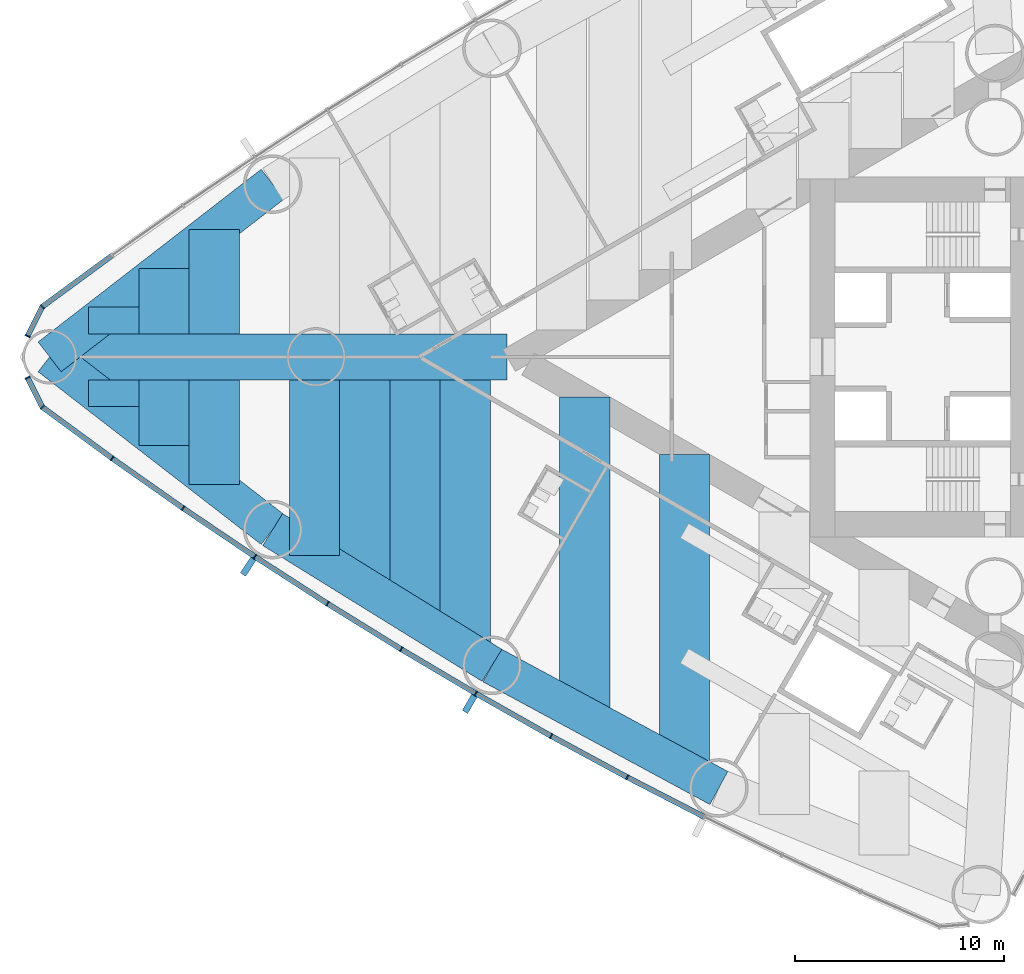
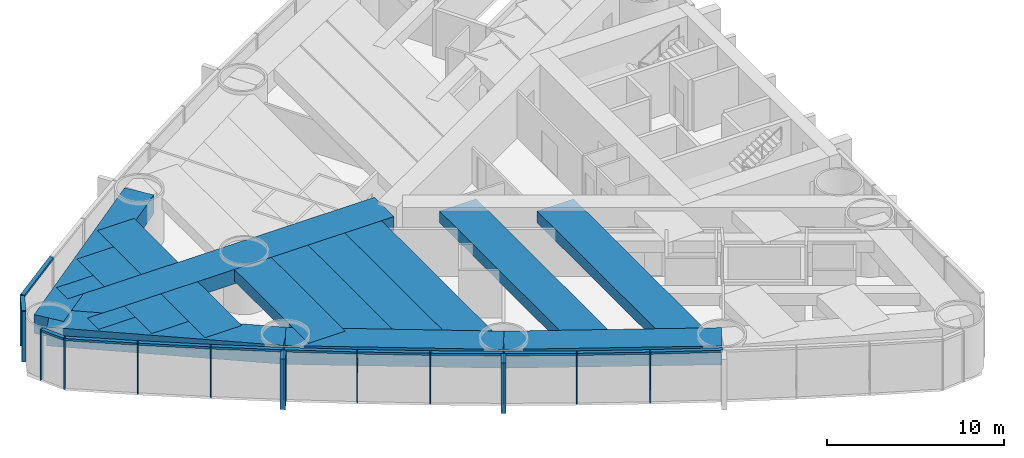
# One storey, part 2 of 19: 26 members, 17 beams, 2 elements without a shape of their own.
"""IFC4 building model written with IfcOpenShell, lengths in metres."""

from ifc_helpers import new_model, si_unit, direction, frame, origin, origin_2d, place, context, subcontext, project, spatial, rectangle, extrude, material, material_profile, profile_set, type_object, element, aggregate, save


model = new_model("IFC4")

# Units and contexts
model_context = context("Model", 3, precision=1e-05, world=origin(), true_north=direction((0.0, 1.0)))
body_context = subcontext(model_context, "Body", "Model", "MODEL_VIEW")
ifc_project = project(units=[si_unit("LENGTHUNIT", "METRE"), si_unit("AREAUNIT", "SQUARE_METRE"), si_unit("VOLUMEUNIT", "CUBIC_METRE"), si_unit("PLANEANGLEUNIT", "RADIAN"), si_unit("MASSUNIT", "GRAM", prefix="KILO")], contexts=[model_context])

# Site, building, storey
site_placement = place(None, origin())
site = spatial("IfcSite", under=ifc_project, at=site_placement, CompositionType="ELEMENT")
building_placement = place(site_placement, origin())
building = spatial("IfcBuilding", under=site, at=building_placement, Name="Lancet Gate Hotel", CompositionType="ELEMENT")
storey_placement = place(building_placement, frame((0.0, 0.0, 35.5)))
storey = spatial("IfcBuildingStorey", under=building, at=storey_placement, Name="L08", CompositionType="ELEMENT", Elevation=35.5)

# Curtain wall, members
ifc_material_1 = material(Name="Aluminium curtain wall", Category="aluminium")
curtain_wall_type = type_object("IfcCurtainWallType", Name="Tower unitised curtain wall", PredefinedType="USERDEFINED", material=ifc_material_1)
curtain_wall_1_placement = place(storey_placement, origin())
curtain_wall_1 = element("IfcCurtainWall", 1, at=curtain_wall_1_placement, inside=storey, type_object=curtain_wall_type, Name="T1 L08 curtain wall 2", ObjectType="UNITISED CURTAIN WALL", PredefinedType="USERDEFINED")
ifc_material_2 = material(Name="Aluminium mullion", Category="aluminium")
ifc_material_profile_1 = material_profile(ifc_material_2, rectangle(XDim=0.06494140625, YDim=0.25, at=origin_2d()), Name="MULLION 65x250")
ifc_profile_set_1 = profile_set([ifc_material_profile_1], Name="Aluminium mullion")
member_type_1 = type_object("IfcMemberType", Name="Aluminium mullion 65x250", PredefinedType="MULLION", material=ifc_profile_set_1)
member_1_placement = place(storey_placement, frame((-74.5830078125, 2.401611328125, 0.0), z_axis=(0.0, 0.0, 1.0), x_axis=(-0.723695580132, -0.690119342793, 0.0)))
member_1 = element("IfcMember", 2, at=member_1_placement, type_object=member_type_1, Name="T1 L08 curtain wall 2 mullion 14", PredefinedType="MULLION", context=body_context, shape_type="SweptSolid", body=[
    extrude(rectangle(XDim=0.06494140625, YDim=0.25, at=origin_2d()), origin(), (0.0, 0.0, 1.0), 3.5),
])
member_2_placement = place(storey_placement, frame((-75.287109375, 0.994873046875, 0.0), z_axis=(0.0, 0.0, 1.0), x_axis=(-0.447628324726, -0.89421970617, 0.0)))
member_2 = element("IfcMember", 3, at=member_2_placement, type_object=member_type_1, Name="T1 L08 curtain wall 2 mullion 15", PredefinedType="MULLION", context=body_context, shape_type="SweptSolid", body=[
    extrude(rectangle(XDim=0.06494140625, YDim=0.25, at=origin_2d()), origin(), (0.0, 0.0, 1.0), 3.5),
])

curtain_wall_2_placement = place(storey_placement, origin())
curtain_wall_2 = element("IfcCurtainWall", 4, at=curtain_wall_2_placement, inside=storey, type_object=curtain_wall_type, Name="T1 L08 curtain wall 3", ObjectType="UNITISED CURTAIN WALL", PredefinedType="USERDEFINED")
member_3_placement = place(storey_placement, frame((-75.287109375, -0.994873046875, 0.0), z_axis=(0.0, 0.0, 1.0), x_axis=(0.447628324726, -0.89421970617, 0.0)))
member_3 = element("IfcMember", 5, at=member_3_placement, type_object=member_type_1, Name="T1 L08 curtain wall 3 mullion 1", PredefinedType="MULLION", context=body_context, shape_type="SweptSolid", body=[
    extrude(rectangle(XDim=0.06494140625, YDim=0.25, at=origin_2d()), origin(), (0.0, 0.0, 1.0), 3.5),
])
member_4_placement = place(storey_placement, frame((-74.5830078125, -2.401611328125, 0.0), z_axis=(0.0, 0.0, 1.0), x_axis=(0.723695580132, -0.690119342793, 0.0)))
member_4 = element("IfcMember", 6, at=member_4_placement, type_object=member_type_1, Name="T1 L08 curtain wall 3 mullion 2", PredefinedType="MULLION", context=body_context, shape_type="SweptSolid", body=[
    extrude(rectangle(XDim=0.06494140625, YDim=0.25, at=origin_2d()), origin(), (0.0, 0.0, 1.0), 3.5),
])
member_5_placement = place(storey_placement, frame((-71.244384765625, -4.85009765625, 0.0), z_axis=(0.0, 0.0, 1.0), x_axis=(0.812146623168, -0.583453393578, 0.0)))
member_5 = element("IfcMember", 7, at=member_5_placement, type_object=member_type_1, Name="T1 L08 curtain wall 3 mullion 3", PredefinedType="MULLION", context=body_context, shape_type="SweptSolid", body=[
    extrude(rectangle(XDim=0.06494140625, YDim=0.25, at=origin_2d()), origin(), (0.0, 0.0, 1.0), 3.5),
])
member_6_placement = place(storey_placement, frame((-67.858154296875, -7.232666015625, 0.0), z_axis=(0.0, 0.0, 1.0), x_axis=(0.823425148573, -0.56742490666, 0.0)))
member_6 = element("IfcMember", 8, at=member_6_placement, type_object=member_type_1, Name="T1 L08 curtain wall 3 mullion 4", PredefinedType="MULLION", context=body_context, shape_type="SweptSolid", body=[
    extrude(rectangle(XDim=0.06494140625, YDim=0.25, at=origin_2d()), origin(), (0.0, 0.0, 1.0), 3.5),
])
member_7_placement = place(storey_placement, frame((-64.42626953125, -9.548583984375, 0.0), z_axis=(0.0, 0.0, 1.0), x_axis=(0.834387381945, -0.55117846189, 0.0)))
member_7 = element("IfcMember", 9, at=member_7_placement, type_object=member_type_1, Name="T1 L08 curtain wall 3 mullion 5", PredefinedType="MULLION", context=body_context, shape_type="SweptSolid", body=[
    extrude(rectangle(XDim=0.06494140625, YDim=0.25, at=origin_2d()), origin(), (0.0, 0.0, 1.0), 3.5),
])
member_8_placement = place(storey_placement, frame((-60.949462890625, -11.796630859375, 0.0), z_axis=(0.0, 0.0, 1.0), x_axis=(0.845029112489, -0.534720299827, 0.0)))
member_8 = element("IfcMember", 10, at=member_8_placement, type_object=member_type_1, Name="T1 L08 curtain wall 3 mullion 6", PredefinedType="MULLION", context=body_context, shape_type="SweptSolid", body=[
    extrude(rectangle(XDim=0.06494140625, YDim=0.25, at=origin_2d()), origin(), (0.0, 0.0, 1.0), 3.5),
])
member_9_placement = place(storey_placement, frame((-57.42919921875, -13.97607421875, 0.0), z_axis=(0.0, 0.0, 1.0), x_axis=(0.855346252548, -0.518056742309, 0.0)))
member_9 = element("IfcMember", 11, at=member_9_placement, type_object=member_type_1, Name="T1 L08 curtain wall 3 mullion 7", PredefinedType="MULLION", context=body_context, shape_type="SweptSolid", body=[
    extrude(rectangle(XDim=0.06494140625, YDim=0.25, at=origin_2d()), origin(), (0.0, 0.0, 1.0), 3.5),
])
member_10_placement = place(storey_placement, frame((-53.866943359375, -16.086181640625, 0.0), z_axis=(0.0, 0.0, 1.0), x_axis=(0.86533483912, -0.501194190115, 0.0)))
member_10 = element("IfcMember", 12, at=member_10_placement, type_object=member_type_1, Name="T1 L08 curtain wall 3 mullion 8", PredefinedType="MULLION", context=body_context, shape_type="SweptSolid", body=[
    extrude(rectangle(XDim=0.06494140625, YDim=0.25, at=origin_2d()), origin(), (0.0, 0.0, 1.0), 3.5),
])
member_11_placement = place(storey_placement, frame((-50.26416015625, -18.1259765625, 0.0), z_axis=(0.0, 0.0, 1.0), x_axis=(0.874991035403, -0.484139120464, 0.0)))
member_11 = element("IfcMember", 13, at=member_11_placement, type_object=member_type_1, Name="T1 L08 curtain wall 3 mullion 9", PredefinedType="MULLION", context=body_context, shape_type="SweptSolid", body=[
    extrude(rectangle(XDim=0.06494140625, YDim=0.25, at=origin_2d()), origin(), (0.0, 0.0, 1.0), 3.5),
])
member_12_placement = place(storey_placement, frame((-46.6220703125, -20.094970703125, 0.0), z_axis=(0.0, 0.0, 1.0), x_axis=(0.884311132302, -0.466898084475, 0.0)))
member_12 = element("IfcMember", 14, at=member_12_placement, type_object=member_type_1, Name="T1 L08 curtain wall 3 mullion 10", PredefinedType="MULLION", context=body_context, shape_type="SweptSolid", body=[
    extrude(rectangle(XDim=0.06494140625, YDim=0.25, at=origin_2d()), origin(), (0.0, 0.0, 1.0), 3.5),
])

# Member
ifc_material_3 = material(Name="Aluminium transom", Category="aluminium")
ifc_material_profile_2 = material_profile(ifc_material_3, rectangle(XDim=0.25, YDim=0.14990234375, at=origin_2d()), Name="TRANSOM 250x150")
ifc_profile_set_2 = profile_set([ifc_material_profile_2], Name="Aluminium transom")
member_type_2 = type_object("IfcMemberType", Name="Aluminium transom 250x150", PredefinedType="USERDEFINED", material=ifc_profile_set_2)
member_13_placement = place(storey_placement, frame((-71.2705078125, 4.8310546875, 3.425048828125), z_axis=(-0.806366902144, -0.59141560609, 0.0), x_axis=(0.59141560609, -0.806366902144, 0.0)))
member_13 = element("IfcMember", 15, at=member_13_placement, type_object=member_type_2, Name="T1 L08 curtain wall 2 transom 13", ObjectType="TRANSOM", PredefinedType="USERDEFINED", context=body_context, shape_type="SweptSolid", body=[
    extrude(rectangle(XDim=0.25, YDim=0.14990234375, at=origin_2d()), origin(), (0.0, 0.0, 1.0), 4.0751953125),
])

member_14_placement = place(storey_placement, frame((-74.597412109375, 2.37255859375, 3.425048828125), z_axis=(-0.447731503446, -0.894168049542, 0.0), x_axis=(0.894168049542, -0.447731503446, 0.0)))
member_14 = element("IfcMember", 16, at=member_14_placement, type_object=member_type_2, Name="T1 L08 curtain wall 2 transom 14", ObjectType="TRANSOM", PredefinedType="USERDEFINED", context=body_context, shape_type="SweptSolid", body=[
    extrude(rectangle(XDim=0.25, YDim=0.14990234375, at=origin_2d()), origin(), (0.0, 0.0, 1.0), 1.50830078125),
])

aggregate(curtain_wall_1, [member_1, member_2, member_13, member_14])

member_15_placement = place(storey_placement, frame((-75.272705078125, -1.02392578125, 3.425048828125), z_axis=(0.447731503446, -0.894168049542, 0.0), x_axis=(0.894168049542, 0.447731503446, 0.0)))
member_15 = element("IfcMember", 17, at=member_15_placement, type_object=member_type_2, Name="T1 L08 curtain wall 3 transom 1", ObjectType="TRANSOM", PredefinedType="USERDEFINED", context=body_context, shape_type="SweptSolid", body=[
    extrude(rectangle(XDim=0.25, YDim=0.14990234375, at=origin_2d()), origin(), (0.0, 0.0, 1.0), 1.50830078125),
])

member_16_placement = place(storey_placement, frame((-74.556640625, -2.4208984375, 3.425048828125), z_axis=(0.806366902144, -0.59141560609, 0.0), x_axis=(0.59141560609, 0.806366902144, 0.0)))
member_16 = element("IfcMember", 18, at=member_16_placement, type_object=member_type_2, Name="T1 L08 curtain wall 3 transom 2", ObjectType="TRANSOM", PredefinedType="USERDEFINED", context=body_context, shape_type="SweptSolid", body=[
    extrude(rectangle(XDim=0.25, YDim=0.14990234375, at=origin_2d()), origin(), (0.0, 0.0, 1.0), 4.0751953125),
])

member_17_placement = place(storey_placement, frame((-71.2177734375, -4.868896484375, 3.425048828125), z_axis=(0.817833568345, -0.57545482402, 0.0), x_axis=(0.57545482402, 0.817833568345, 0.0)))
member_17 = element("IfcMember", 19, at=member_17_placement, type_object=member_type_2, Name="T1 L08 curtain wall 3 transom 3", ObjectType="TRANSOM", PredefinedType="USERDEFINED", context=body_context, shape_type="SweptSolid", body=[
    extrude(rectangle(XDim=0.25, YDim=0.14990234375, at=origin_2d()), origin(), (0.0, 0.0, 1.0), 4.075439453125),
])

member_18_placement = place(storey_placement, frame((-67.831298828125, -7.2509765625, 3.425048828125), z_axis=(0.828959086782, -0.559309245804, 0.0), x_axis=(0.559309245804, 0.828959086782, 0.0)))
member_18 = element("IfcMember", 20, at=member_18_placement, type_object=member_type_2, Name="T1 L08 curtain wall 3 transom 4", ObjectType="TRANSOM", PredefinedType="USERDEFINED", context=body_context, shape_type="SweptSolid", body=[
    extrude(rectangle(XDim=0.25, YDim=0.14990234375, at=origin_2d()), origin(), (0.0, 0.0, 1.0), 4.0751953125),
])

member_19_placement = place(storey_placement, frame((-64.39892578125, -9.566162109375, 3.425048828125), z_axis=(0.839729242404, -0.543005340169, 0.0), x_axis=(0.543005340169, 0.839729242404, 0.0)))
member_19 = element("IfcMember", 21, at=member_19_placement, type_object=member_type_2, Name="T1 L08 curtain wall 3 transom 5", ObjectType="TRANSOM", PredefinedType="USERDEFINED", context=body_context, shape_type="SweptSolid", body=[
    extrude(rectangle(XDim=0.25, YDim=0.14990234375, at=origin_2d()), origin(), (0.0, 0.0, 1.0), 4.0751953125),
])

member_20_placement = place(storey_placement, frame((-60.921875, -11.813720703125, 3.425048828125), z_axis=(0.850242165643, -0.526391736032, 0.0), x_axis=(0.526391736032, 0.850242165643, 0.0)))
member_20 = element("IfcMember", 22, at=member_20_placement, type_object=member_type_2, Name="T1 L08 curtain wall 3 transom 6", ObjectType="TRANSOM", PredefinedType="USERDEFINED", context=body_context, shape_type="SweptSolid", body=[
    extrude(rectangle(XDim=0.25, YDim=0.14990234375, at=origin_2d()), origin(), (0.0, 0.0, 1.0), 4.075439453125),
])

member_21_placement = place(storey_placement, frame((-57.4013671875, -13.99267578125, 3.425048828125), z_axis=(0.86039174806, -0.509633240547, 0.0), x_axis=(0.509633240547, 0.86039174806, 0.0)))
member_21 = element("IfcMember", 23, at=member_21_placement, type_object=member_type_2, Name="T1 L08 curtain wall 3 transom 7", ObjectType="TRANSOM", PredefinedType="USERDEFINED", context=body_context, shape_type="SweptSolid", body=[
    extrude(rectangle(XDim=0.25, YDim=0.14990234375, at=origin_2d()), origin(), (0.0, 0.0, 1.0), 4.0751953125),
])

member_22_placement = place(storey_placement, frame((-53.838623046875, -16.102294921875, 3.425048828125), z_axis=(0.870197729943, -0.492702659625, 0.0), x_axis=(0.492702659625, 0.870197729943, 0.0)))
member_22 = element("IfcMember", 24, at=member_22_placement, type_object=member_type_2, Name="T1 L08 curtain wall 3 transom 8", ObjectType="TRANSOM", PredefinedType="USERDEFINED", context=body_context, shape_type="SweptSolid", body=[
    extrude(rectangle(XDim=0.25, YDim=0.14990234375, at=origin_2d()), origin(), (0.0, 0.0, 1.0), 4.0751953125),
])

member_23_placement = place(storey_placement, frame((-50.235595703125, -18.1416015625, 3.425048828125), z_axis=(0.87971396408, -0.475503250675, 0.0), x_axis=(0.475503250675, 0.87971396408, 0.0)))
member_23 = element("IfcMember", 25, at=member_23_placement, type_object=member_type_2, Name="T1 L08 curtain wall 3 transom 9", ObjectType="TRANSOM", PredefinedType="USERDEFINED", context=body_context, shape_type="SweptSolid", body=[
    extrude(rectangle(XDim=0.25, YDim=0.14990234375, at=origin_2d()), origin(), (0.0, 0.0, 1.0), 4.0751953125),
])

member_24_placement = place(storey_placement, frame((-46.593017578125, -20.10986328125, 3.425048828125), z_axis=(0.888859972399, -0.458178949175, 0.0), x_axis=(0.458178949175, 0.888859972399, 0.0)))
member_24 = element("IfcMember", 26, at=member_24_placement, type_object=member_type_2, Name="T1 L08 curtain wall 3 transom 10", ObjectType="TRANSOM", PredefinedType="USERDEFINED", context=body_context, shape_type="SweptSolid", body=[
    extrude(rectangle(XDim=0.25, YDim=0.14990234375, at=origin_2d()), origin(), (0.0, 0.0, 1.0), 4.0751953125),
])

# Beams
ifc_material_4 = material(Name="Concrete C50/60", Category="concrete")
ifc_material_profile_3 = material_profile(ifc_material_4, rectangle(XDim=1.800048828125, YDim=1.300048828125, at=origin_2d()), Name="RC 1800x1300")
ifc_profile_set_3 = profile_set([ifc_material_profile_3], Name="Concrete C50/60")
beam_type_1 = type_object("IfcBeamType", Name="Edge beam RC 1800x1300", PredefinedType="SPANDREL", material=ifc_profile_set_3)
for number, where, z_axis, x_axis, name in (
    (27, (-63.57177734375, 8.255126953125, 2.60009765625), (-0.790736428665, -0.612156761281, 0.0), (0.612156761281, -0.790736428665, 0.0), "T1 edge beam EB1 L08"),
    (28, (-74.235107421875, 0.0, 2.60009765625), (0.790736428665, -0.612156761281, 0.0), (0.612156761281, 0.790736428665, 0.0), "T1 edge beam EB1 L08"),
):
    element("IfcBeam", number, at=place(storey_placement, frame(where, z_axis=z_axis, x_axis=x_axis)), inside=storey, type_object=beam_type_1, Name=name, PredefinedType="SPANDREL", context=body_context, shape_type="SweptSolid", body=[
        extrude(rectangle(XDim=1.800048828125, YDim=1.300048828125, at=origin_2d()), origin(), (0.0, 0.0, 1.0), 13.4853515625),
    ])
for number, where, z_axis, x_axis, name in (
    (29, (-63.57177734375, -8.255126953125, 2.60009765625), (0.850225894333, -0.526418016984, 0.0), (0.526418016984, 0.850225894333, 0.0), "T1 edge beam EB1 L08"),
    (30, (-53.090087890625, -14.744873046875, 2.60009765625), (0.879692855603, -0.475542300749, 0.0), (0.475542300749, 0.879692855603, 0.0), "T1 edge beam EB1 L08"),
):
    element("IfcBeam", number, at=place(storey_placement, frame(where, z_axis=z_axis, x_axis=x_axis)), inside=storey, type_object=beam_type_1, Name=name, PredefinedType="SPANDREL", context=body_context, shape_type="SweptSolid", body=[
        extrude(rectangle(XDim=1.800048828125, YDim=1.300048828125, at=origin_2d()), origin(), (0.0, 0.0, 1.0), 12.328125),
    ])

# Member
ifc_material_5 = material(Name="Precast concrete C50/60", Category="concrete")
ifc_material_profile_4 = material_profile(ifc_material_5, rectangle(XDim=0.300048828125, YDim=0.89990234375, at=origin_2d()), Name="FIN 300x900")
ifc_profile_set_4 = profile_set([ifc_material_profile_4], Name="Precast concrete C50/60")
member_type_3 = type_object("IfcMemberType", Name="Exposed concrete fin 300x900", PredefinedType="USERDEFINED", material=ifc_profile_set_4)
member_25_placement = place(storey_placement, frame((-64.7431640625, -10.0283203125, 0.0), z_axis=(0.0, 0.0, 1.0), x_axis=(0.834387381945, -0.55117846189, 0.0)))
member_25 = element("IfcMember", 31, at=member_25_placement, type_object=member_type_3, Name="T1 L08 curtain wall 3 fin 5", ObjectType="FIN", PredefinedType="USERDEFINED", context=body_context, shape_type="SweptSolid", body=[
    extrude(rectangle(XDim=0.300048828125, YDim=0.89990234375, at=origin_2d()), origin(), (0.0, 0.0, 1.0), 3.5),
])

member_26_placement = place(storey_placement, frame((-54.1552734375, -16.583740234375, 0.0), z_axis=(0.0, 0.0, 1.0), x_axis=(0.86533483912, -0.501194190115, 0.0)))
member_26 = element("IfcMember", 32, at=member_26_placement, type_object=member_type_3, Name="T1 L08 curtain wall 3 fin 8", ObjectType="FIN", PredefinedType="USERDEFINED", context=body_context, shape_type="SweptSolid", body=[
    extrude(rectangle(XDim=0.300048828125, YDim=0.89990234375, at=origin_2d()), origin(), (0.0, 0.0, 1.0), 3.5),
])

aggregate(curtain_wall_2, [member_3, member_4, member_5, member_6, member_7, member_25, member_8, member_9, member_10, member_26, member_11, member_12, member_15, member_16, member_17, member_18, member_19, member_20, member_21, member_22, member_23, member_24])

# Beams
ifc_material_6 = material(Name="Concrete C50/60", Category="concrete")
ifc_material_profile_5 = material_profile(ifc_material_6, rectangle(XDim=2.39990234375, YDim=0.800048828125, at=origin_2d()), Name="RC 2400x800")
ifc_profile_set_5 = profile_set([ifc_material_profile_5], Name="Concrete C50/60")
beam_type_2 = type_object("IfcBeamType", Name="Floor beam RC 2400x800", PredefinedType="BEAM", material=ifc_profile_set_5)
beam_1_placement = place(storey_placement, frame((-43.891357421875, -4.663330078125, 2.85009765625), z_axis=(0.0, -1.0, 0.0), x_axis=(1.0, 0.0, 0.0)))
element("IfcBeam", 33, at=beam_1_placement, inside=storey, type_object=beam_type_2, Name="T1 floor beam F08N L08", PredefinedType="BEAM", context=body_context, shape_type="SweptSolid", body=[
    extrude(rectangle(XDim=2.39990234375, YDim=0.800048828125, at=origin_2d()), origin(), (0.0, 0.0, 1.0), 15.05419921875),
])
beam_2_placement = place(storey_placement, frame((-48.66015625, -1.909912109375, 2.85009765625), z_axis=(0.0, -1.0, 0.0), x_axis=(1.0, 0.0, 0.0)))
element("IfcBeam", 34, at=beam_2_placement, inside=storey, type_object=beam_type_2, Name="T1 floor beam F11N L08", PredefinedType="BEAM", context=body_context, shape_type="SweptSolid", body=[
    extrude(rectangle(XDim=2.39990234375, YDim=0.800048828125, at=origin_2d()), origin(), (0.0, 0.0, 1.0), 15.229736328125),
])
beam_3_placement = place(storey_placement, frame((-54.3681640625, -1.10009765625, 2.85009765625), z_axis=(0.0, -1.0, 0.0), x_axis=(1.0, 0.0, 0.0)))
element("IfcBeam", 35, at=beam_3_placement, inside=storey, type_object=beam_type_2, Name="T1 floor beam F14N L08", PredefinedType="BEAM", context=body_context, shape_type="SweptSolid", body=[
    extrude(rectangle(XDim=2.39990234375, YDim=0.800048828125, at=origin_2d()), origin(), (0.0, 0.0, 1.0), 12.853515625),
])
beam_4_placement = place(storey_placement, frame((-56.768310546875, -1.10009765625, 2.85009765625), z_axis=(0.0, -1.0, 0.0), x_axis=(1.0, 0.0, 0.0)))
element("IfcBeam", 36, at=beam_4_placement, inside=storey, type_object=beam_type_2, Name="T1 floor beam F16N L08", PredefinedType="BEAM", context=body_context, shape_type="SweptSolid", body=[
    extrude(rectangle(XDim=2.39990234375, YDim=0.800048828125, at=origin_2d()), origin(), (0.0, 0.0, 1.0), 11.367431640625),
])
beam_5_placement = place(storey_placement, frame((-59.168212890625, -1.10009765625, 2.85009765625), z_axis=(0.0, -1.0, 0.0), x_axis=(1.0, 0.0, 0.0)))
element("IfcBeam", 37, at=beam_5_placement, inside=storey, type_object=beam_type_2, Name="T1 floor beam F18N L08", PredefinedType="BEAM", context=body_context, shape_type="SweptSolid", body=[
    extrude(rectangle(XDim=2.39990234375, YDim=0.800048828125, at=origin_2d()), origin(), (0.0, 0.0, 1.0), 9.881591796875),
])
beam_6_placement = place(storey_placement, frame((-61.568359375, -1.10009765625, 2.85009765625), z_axis=(0.0, -1.0, 0.0), x_axis=(1.0, 0.0, 0.0)))
element("IfcBeam", 38, at=beam_6_placement, inside=storey, type_object=beam_type_2, Name="T1 floor beam F20N L08", PredefinedType="BEAM", context=body_context, shape_type="SweptSolid", body=[
    extrude(rectangle(XDim=2.39990234375, YDim=0.800048828125, at=origin_2d()), origin(), (0.0, 0.0, 1.0), 8.395751953125),
])
for number, where, z_axis, x_axis, name in (
    (39, (-66.3681640625, 6.09033203125, 2.85009765625), (0.0, -1.0, 0.0), (1.0, 0.0, 0.0), "T1 floor beam F21S L08"),
    (40, (-66.3681640625, -1.10009765625, 2.85009765625), (0.0, -1.0, 0.0), (1.0, 0.0, 0.0), "T1 floor beam F22N L08"),
):
    element("IfcBeam", number, at=place(storey_placement, frame(where, z_axis=z_axis, x_axis=x_axis)), inside=storey, type_object=beam_type_2, Name=name, PredefinedType="BEAM", context=body_context, shape_type="SweptSolid", body=[
        extrude(rectangle(XDim=2.39990234375, YDim=0.800048828125, at=origin_2d()), origin(), (0.0, 0.0, 1.0), 4.990234375),
    ])
for number, where, z_axis, x_axis, name in (
    (41, (-68.768310546875, 4.232421875, 2.85009765625), (0.0, -1.0, 0.0), (1.0, 0.0, 0.0), "T1 floor beam F23S L08"),
    (42, (-68.768310546875, -1.10009765625, 2.85009765625), (0.0, -1.0, 0.0), (1.0, 0.0, 0.0), "T1 floor beam F24N L08"),
):
    element("IfcBeam", number, at=place(storey_placement, frame(where, z_axis=z_axis, x_axis=x_axis)), inside=storey, type_object=beam_type_2, Name=name, PredefinedType="BEAM", context=body_context, shape_type="SweptSolid", body=[
        extrude(rectangle(XDim=2.39990234375, YDim=0.800048828125, at=origin_2d()), origin(), (0.0, 0.0, 1.0), 3.13232421875),
    ])
for number, where, z_axis, x_axis, name in (
    (43, (-71.168212890625, 2.374267578125, 2.85009765625), (0.0, -1.0, 0.0), (1.0, 0.0, 0.0), "T1 floor beam F25S L08"),
    (44, (-71.168212890625, -1.10009765625, 2.85009765625), (0.0, -1.0, 0.0), (1.0, 0.0, 0.0), "T1 floor beam F26N L08"),
):
    element("IfcBeam", number, at=place(storey_placement, frame(where, z_axis=z_axis, x_axis=x_axis)), inside=storey, type_object=beam_type_2, Name=name, PredefinedType="BEAM", context=body_context, shape_type="SweptSolid", body=[
        extrude(rectangle(XDim=2.39990234375, YDim=0.800048828125, at=origin_2d()), origin(), (0.0, 0.0, 1.0), 1.274169921875),
    ])
ifc_material_7 = material(Name="Concrete C50/60", Category="concrete")
ifc_material_profile_6 = material_profile(ifc_material_7, rectangle(XDim=2.199951171875, YDim=1.0, at=origin_2d()), Name="RC 2200x1000")
ifc_profile_set_6 = profile_set([ifc_material_profile_6], Name="Concrete C50/60")
beam_type_3 = type_object("IfcBeamType", Name="Radial floor beam RC 2200x1000", PredefinedType="BEAM", material=ifc_profile_set_6)
beam_7_placement = place(storey_placement, frame((-74.235107421875, 0.0, 2.75), z_axis=(1.0, 0.0, 0.0), x_axis=(0.0, 1.0, 0.0)))
element("IfcBeam", 45, at=beam_7_placement, inside=storey, type_object=beam_type_3, Name="T1 radial beam CA L08", PredefinedType="BEAM", context=body_context, shape_type="SweptSolid", body=[
    extrude(rectangle(XDim=2.199951171875, YDim=1.0, at=origin_2d()), origin(), (0.0, 0.0, 1.0), 21.866943359375),
])

save(model, "model.ifc")
